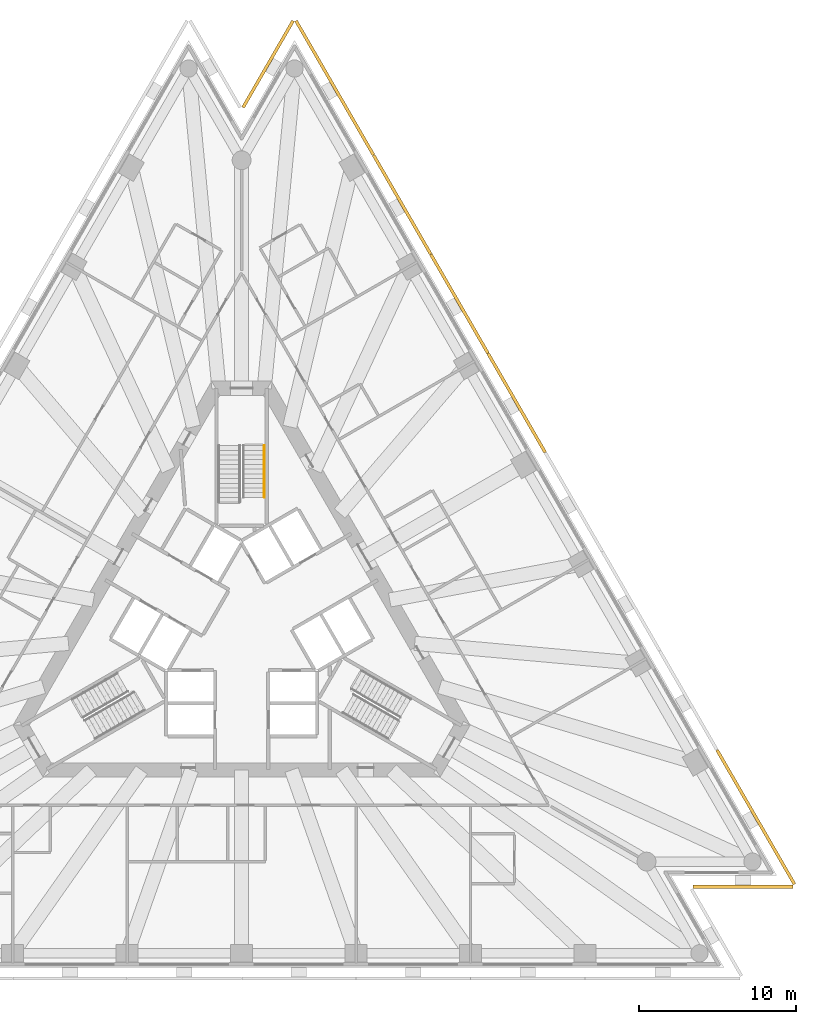
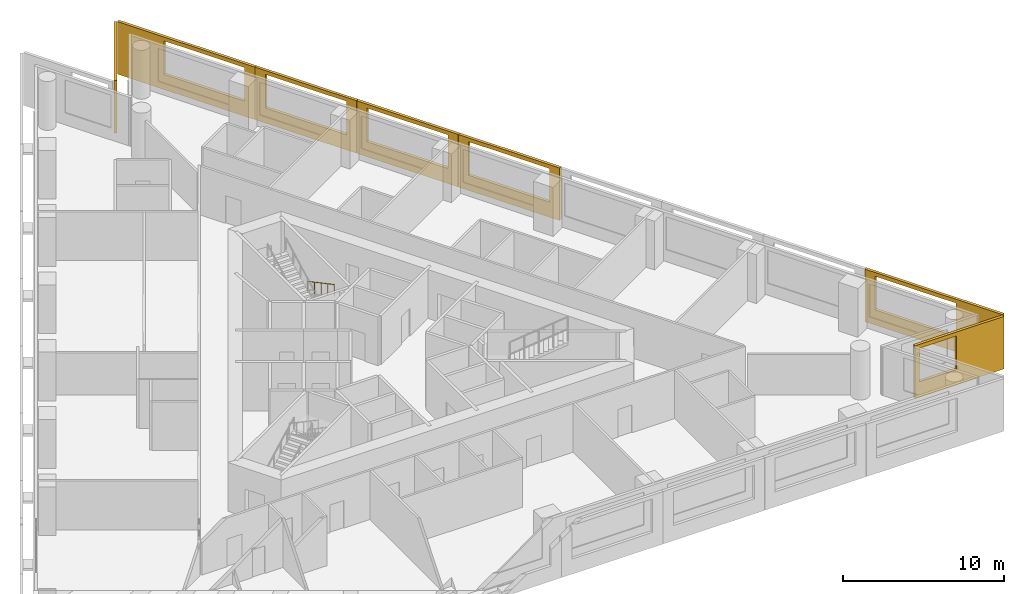
# One storey, part 11 of 11: 7 shading devices, 1 railing, 1 element without a shape of its own.
"""IFC4 building model written with IfcOpenShell, lengths in metres."""

import ifcopenshell
import ifcopenshell.guid

model = None  # the IFC model being written
_history = None  # IfcOwnerHistory: only IFC2X3 demands one
_inside = {}  # id of a spatial element -> (the spatial element, [elements in it])
_under = {}  # id of a project, library or spatial element -> (it, [spatial elements below it])
_declared = {}  # id of a project -> (the project, [libraries it declares])
_typed = {}  # id of a type object -> (the type object, [elements of that type])
_made_of = {}  # id of a material, layer set ... -> (it, [elements and type objects made of it])


def new_model(schema):
    """Start an empty IFC model of exactly this schema.

    Asked for "IFC4X3", IfcOpenShell would pick the latest addendum, in which some entities
    have other attributes; the version numbers below select the first issue.
    IFC2X3 requires an IfcOwnerHistory on every rooted entity: one is made here for all.
    """
    global model, _history
    if schema == "IFC4X3":
        model = ifcopenshell.file(schema_version=(4, 3, 0, 0))
    else:
        model = ifcopenshell.file(schema=schema)
    _inside.clear()
    _under.clear()
    _declared.clear()
    _typed.clear()
    _made_of.clear()
    _history = None
    if model.schema == "IFC2X3":
        org = make("IfcOrganization", Name="unknown")
        user = make(
            "IfcPersonAndOrganization",
            ThePerson=make("IfcPerson", FamilyName="unknown"),
            TheOrganization=org,
        )
        app = make(
            "IfcApplication",
            ApplicationDeveloper=org,
            Version="unknown",
            ApplicationFullName="unknown",
            ApplicationIdentifier="unknown",
        )
        _history = make(
            "IfcOwnerHistory",
            OwningUser=user,
            OwningApplication=app,
            ChangeAction="ADDED",
            CreationDate=0,
        )
    return model


def make(cls, **values):
    """One entity of the class cls with the attributes given. An attribute that is None is left unset."""
    return model.create_entity(
        cls, **{name: value for name, value in values.items() if value is not None}
    )


def rooted(cls, **values):
    """An entity with a GlobalId (a new one), such as an element, a storey or a relation."""
    return make(cls, GlobalId=ifcopenshell.guid.new(), OwnerHistory=_history, **values)


def si_unit(unit_type, name, prefix=None):
    """IfcSIUnit, for example si_unit("LENGTHUNIT", "METRE", prefix="MILLI")."""
    return make("IfcSIUnit", UnitType=unit_type, Prefix=prefix, Name=name)


def assignment(units):
    """IfcUnitAssignment: the units of a project."""
    return None if units is None else make("IfcUnitAssignment", Units=units)


def point(xyz):
    """IfcCartesianPoint."""
    return None if xyz is None else make("IfcCartesianPoint", Coordinates=xyz)


def direction(xyz):
    """IfcDirection."""
    return None if xyz is None else make("IfcDirection", DirectionRatios=xyz)


def frame(location, z_axis=None, x_axis=None):
    """IfcAxis2Placement3D, a coordinate frame: its origin and axes. An axis left out is left unset."""
    return make(
        "IfcAxis2Placement3D",
        Location=point(location),
        Axis=direction(z_axis),
        RefDirection=direction(x_axis),
    )


def frame_2d(location, x_axis=None):
    """IfcAxis2Placement2D, a coordinate frame in the plane: its origin and x axis."""
    return make(
        "IfcAxis2Placement2D", Location=point(location), RefDirection=direction(x_axis)
    )


def origin():
    """The frame at (0, 0, 0) with its axes left unset."""
    return frame((0.0, 0.0, 0.0))


def origin_2d():
    """The frame at (0, 0) in the plane with its x axis left unset."""
    return frame_2d((0.0, 0.0))


def place(relative_to, where):
    """IfcLocalPlacement: puts the frame where relative to a parent placement (None: the world)."""
    return make(
        "IfcLocalPlacement", PlacementRelTo=relative_to, RelativePlacement=where
    )


def context(
    kind, dimensions, precision=None, world=None, true_north=None, identifier=None
):
    """IfcGeometricRepresentationContext, for example the 3D "Model" context."""
    return make(
        "IfcGeometricRepresentationContext",
        ContextIdentifier=identifier,
        ContextType=kind,
        CoordinateSpaceDimension=dimensions,
        Precision=precision,
        WorldCoordinateSystem=world,
        TrueNorth=true_north,
    )


def subcontext(parent, identifier, kind, view, scale=None):
    """IfcGeometricRepresentationSubContext, for example "Body" below "Model"."""
    return make(
        "IfcGeometricRepresentationSubContext",
        ContextIdentifier=identifier,
        ContextType=kind,
        ParentContext=parent,
        TargetScale=scale,
        TargetView=view,
    )


def project(units=None, contexts=None):
    """IfcProject with its units and contexts."""
    return rooted(
        "IfcProject",
        Name="project",
        RepresentationContexts=contexts,
        UnitsInContext=assignment(units),
    )


def spatial(cls, under=None, at=None, **own):
    """A site, building, storey or space (cls), placed at a placement, below another one or the project."""
    s = rooted(cls, ObjectPlacement=at, **own)
    if under is not None:
        _under.setdefault(under.id(), (under, []))[1].append(s)
    return s


def polyline(points):
    """IfcPolyline through the points."""
    return make("IfcPolyline", Points=[point(p) for p in points])


def profile(cls, at=None, kind="AREA", **sizes):
    """A parametric profile (cls). Its sizes go by their IFC names, for example OverallWidth=200.0."""
    return make(cls, ProfileType=kind, Position=at, **sizes)


def circle(**sizes):
    """IfcCircleProfileDef."""
    return profile("IfcCircleProfileDef", **sizes)


def outline(outer, holes=None, kind="AREA"):
    """IfcArbitraryClosedProfileDef: a profile drawn as a closed curve; with holes, ...WithVoids."""
    if holes is None:
        return make("IfcArbitraryClosedProfileDef", ProfileType=kind, OuterCurve=outer)
    return make(
        "IfcArbitraryProfileDefWithVoids",
        ProfileType=kind,
        OuterCurve=outer,
        InnerCurves=holes,
    )


def extrude(swept, where, along, depth):
    """IfcExtrudedAreaSolid: the profile swept, set in the frame where, extruded along a direction by depth."""
    return make(
        "IfcExtrudedAreaSolid",
        SweptArea=swept,
        Position=where,
        ExtrudedDirection=direction(along),
        Depth=depth,
    )


def shape(context_of_items, identifier, shape_type, items):
    """IfcShapeRepresentation: the items that make up one representation, for example the "Body"."""
    return make(
        "IfcShapeRepresentation",
        ContextOfItems=context_of_items,
        RepresentationIdentifier=identifier,
        RepresentationType=shape_type,
        Items=items,
    )


def material(Name=None, Category=None):
    """IfcMaterial."""
    return make("IfcMaterial", Name=Name, Category=Category)


def layer(
    of_material, thickness, ventilated=None, Name=None, Category=None, Priority=None
):
    """IfcMaterialLayer: one layer of a wall or slab, of a material (None: an air gap)."""
    return make(
        "IfcMaterialLayer",
        Material=of_material,
        LayerThickness=thickness,
        IsVentilated=ventilated,
        Name=Name,
        Category=Category,
        Priority=Priority,
    )


def layer_set(layers, Name=None):
    """IfcMaterialLayerSet."""
    return make("IfcMaterialLayerSet", MaterialLayers=layers, LayerSetName=Name)


def made_of(thing, what):
    """Note that an element or type object is made of a material, layer set ...; save() writes the relation."""
    if what is not None:
        _made_of.setdefault(what.id(), (what, []))[1].append(thing)
    return thing


def type_object(cls, material=None, **own):
    """A type object (cls), such as IfcWallType, which elements share."""
    return made_of(rooted(cls, **own), material)


def element(
    cls,
    number,
    at=None,
    inside=None,
    cuts=None,
    type_object=None,
    material=None,
    context=None,
    identifier="Body",
    shape_type=None,
    held_by="IfcProductDefinitionShape",
    body=None,
    shapes=None,
    **own,
):
    """One element of the class cls, such as IfcWall. Its Tag is "e" and its number.

    at: its placement. inside: the storey or other place that contains it. cuts: it is an
    opening in that element (IfcRelVoidsElement). A single representation is given by context,
    identifier, shape_type and body (its items); several are given by shapes. held_by: the class
    of the entity that holds the representations. save() writes the other relations.
    """
    e = rooted(cls, Tag="e%d" % number, ObjectPlacement=at, **own)
    if body is not None:
        shapes = [shape(context, identifier, shape_type, body)]
    if shapes is not None:
        e.Representation = make(held_by, Representations=shapes)
    if inside is not None:
        _inside.setdefault(inside.id(), (inside, []))[1].append(e)
    if cuts is not None:
        rooted(
            "IfcRelVoidsElement", RelatingBuildingElement=cuts, RelatedOpeningElement=e
        )
    if type_object is not None:
        _typed.setdefault(type_object.id(), (type_object, []))[1].append(e)
    return made_of(e, material)


def aggregate(whole, parts):
    """IfcRelAggregates: a whole, such as a stair, and the parts it consists of."""
    return rooted("IfcRelAggregates", RelatingObject=whole, RelatedObjects=parts)


def save(model, path):
    """Write the relations noted so far, then the file.

    IfcRelAggregates (storeys below a building ...), IfcRelContainedInSpatialStructure (elements
    in a storey), IfcRelDefinesByType, IfcRelAssociatesMaterial and IfcRelDeclares: one each for
    every whole, place, type object, material and project.
    """
    for whole, parts in _under.values():
        aggregate(whole, parts)
    for where, things in _inside.values():
        rooted(
            "IfcRelContainedInSpatialStructure",
            RelatedElements=things,
            RelatingStructure=where,
        )
    for kind, things in _typed.values():
        rooted("IfcRelDefinesByType", RelatedObjects=things, RelatingType=kind)
    for what, things in _made_of.values():
        rooted("IfcRelAssociatesMaterial", RelatedObjects=things, RelatingMaterial=what)
    for by, libraries in _declared.values():
        rooted("IfcRelDeclares", RelatingContext=by, RelatedDefinitions=libraries)
    model.write(path)


model = new_model("IFC4")

# Units and contexts
model_context = context("Model", 3, precision=1e-05, world=origin(), true_north=direction((0.0, 1.0)))
body_context = subcontext(model_context, "Body", "Model", "MODEL_VIEW")
ifc_project = project(units=[si_unit("LENGTHUNIT", "METRE"), si_unit("AREAUNIT", "SQUARE_METRE"), si_unit("VOLUMEUNIT", "CUBIC_METRE"), si_unit("PLANEANGLEUNIT", "RADIAN"), si_unit("MASSUNIT", "GRAM", prefix="KILO")], contexts=[model_context])

# Site, building, storey
site_placement = place(None, origin())
site = spatial("IfcSite", under=ifc_project, at=site_placement, CompositionType="ELEMENT")
building_placement = place(site_placement, origin())
building = spatial("IfcBuilding", under=site, at=building_placement, Name="Triada Interchange Tower", CompositionType="ELEMENT")
storey_placement = place(building_placement, frame((0.0, 0.0, 79.300048828125)))
storey = spatial("IfcBuildingStorey", under=building, at=storey_placement, Name="L17", CompositionType="ELEMENT", Elevation=79.300048828125)

# Shading devices
ifc_material_1 = material(Name="Concrete C50/60 precast", Category="concrete")
ifc_layer_1 = layer(ifc_material_1, 0.02001953125, Name="Exposed aggregate face")
ifc_layer_2 = layer(ifc_material_1, 0.179931640625, Name="Precast concrete screen")
ifc_layer_set = layer_set([ifc_layer_1, ifc_layer_2], Name="Outer skin screen panel 3980")
shading_device_type = type_object("IfcShadingDeviceType", Name="Outer skin screen panel 3980", PredefinedType="SHUTTER", material=ifc_layer_set)
shading_device_1_placement = place(storey_placement, frame((28.735107421875, -16.384033203125, -0.2900390625), z_axis=(0.0, 0.0, 1.0), x_axis=(1.0, 0.0, 0.0)))
element("IfcShadingDevice", 1, at=shading_device_1_placement, inside=storey, type_object=shading_device_type, Name="Outer skin screen panel L17 20", PredefinedType="SHUTTER", context=body_context, shape_type="SweptSolid", body=[
    extrude(outline(polyline([(0.0, 0.0), (6.373779296875, 0.0), (6.373779296875, 3.97998046875), (0.0, 3.97998046875), (0.0, 0.0)]), holes=[polyline([(0.300048828125, 1.139892578125), (0.300048828125, 3.68994140625), (2.9580078125, 3.68994140625), (2.9580078125, 1.139892578125), (0.300048828125, 1.139892578125)])]), frame((0.0, 0.0, 0.0), z_axis=(0.0, -1.0, 0.0), x_axis=(1.0, 0.0, 0.0)), (0.0, 0.0, 1.0), 0.199951171875),
])
shading_device_2_placement = place(storey_placement, frame((35.114013671875, -16.375, -0.2900390625), z_axis=(0.0, 0.0, 1.0), x_axis=(-0.500019487037, 0.866014152646, 0.0)))
element("IfcShadingDevice", 2, at=shading_device_2_placement, inside=storey, type_object=shading_device_type, Name="Outer skin screen panel L17 21", PredefinedType="SHUTTER", context=body_context, shape_type="SweptSolid", body=[
    extrude(outline(polyline([(0.0, 0.0), (9.86572265625, 0.0), (9.86572265625, 3.97998046875), (0.0, 3.97998046875), (0.0, 0.0)]), holes=[polyline([(3.332275390625, 1.139892578125), (3.332275390625, 3.68994140625), (9.13232421875, 3.68994140625), (9.13232421875, 1.139892578125), (3.332275390625, 1.139892578125)])]), frame((0.0, 0.0, 0.0), z_axis=(0.0, -1.0, 0.0), x_axis=(1.0, 0.0, 0.0)), (0.0, 0.0, 1.0), 0.199951171875),
])
shading_device_3_placement = place(storey_placement, frame((19.239990234375, 11.1201171875, -0.2900390625), z_axis=(0.0, 0.0, 1.0), x_axis=(-0.500022928159, 0.866012165801, 0.0)))
element("IfcShadingDevice", 3, at=shading_device_3_placement, inside=storey, type_object=shading_device_type, Name="Outer skin screen panel L17 25", PredefinedType="SHUTTER", context=body_context, shape_type="SweptSolid", body=[
    extrude(outline(polyline([(0.0, 0.0), (7.267822265625, 0.0), (7.267822265625, 3.97998046875), (0.0, 3.97998046875), (0.0, 0.0)]), holes=[polyline([(0.73388671875, 1.139892578125), (0.73388671875, 3.68994140625), (6.533935546875, 3.68994140625), (6.533935546875, 1.139892578125), (0.73388671875, 1.139892578125)])]), frame((0.0, 0.0, 0.0), z_axis=(0.0, -1.0, 0.0), x_axis=(1.0, 0.0, 0.0)), (0.0, 0.0, 1.0), 0.199951171875),
])
shading_device_4_placement = place(storey_placement, frame((15.595947265625, 17.430908203125, -0.2900390625), z_axis=(0.0, 0.0, 1.0), x_axis=(-0.499907598821, 0.866078745058, 0.0)))
element("IfcShadingDevice", 4, at=shading_device_4_placement, inside=storey, type_object=shading_device_type, Name="Outer skin screen panel L17 26", PredefinedType="SHUTTER", context=body_context, shape_type="SweptSolid", body=[
    extrude(outline(polyline([(0.0, 0.0), (7.267578125, 0.0), (7.267578125, 3.97998046875), (0.0, 3.97998046875), (0.0, 0.0)]), holes=[polyline([(0.7333984375, 1.139892578125), (0.7333984375, 3.68994140625), (6.533203125, 3.68994140625), (6.533203125, 1.139892578125), (0.7333984375, 1.139892578125)])]), frame((0.0, 0.0, 0.0), z_axis=(0.0, -1.0, 0.0), x_axis=(1.0, 0.0, 0.0)), (0.0, 0.0, 1.0), 0.199951171875),
])
shading_device_5_placement = place(storey_placement, frame((11.952880859375, 23.741943359375, -0.2900390625), z_axis=(0.0, 0.0, 1.0), x_axis=(-0.499997733992, 0.866026712061, 0.0)))
element("IfcShadingDevice", 5, at=shading_device_5_placement, inside=storey, type_object=shading_device_type, Name="Outer skin screen panel L17 27", PredefinedType="SHUTTER", context=body_context, shape_type="SweptSolid", body=[
    extrude(outline(polyline([(0.0, 0.0), (7.267578125, 0.0), (7.267578125, 3.97998046875), (0.0, 3.97998046875), (0.0, 0.0)]), holes=[polyline([(0.73388671875, 1.139892578125), (0.73388671875, 3.68994140625), (6.53369140625, 3.68994140625), (6.53369140625, 1.139892578125), (0.73388671875, 1.139892578125)])]), frame((0.0, 0.0, 0.0), z_axis=(0.0, -1.0, 0.0), x_axis=(1.0, 0.0, 0.0)), (0.0, 0.0, 1.0), 0.199951171875),
])
shading_device_6_placement = place(storey_placement, frame((8.30908203125, 30.052978515625, -0.2900390625), z_axis=(0.0, 0.0, 1.0), x_axis=(-0.500019487037, 0.866014152646, 0.0)))
element("IfcShadingDevice", 6, at=shading_device_6_placement, inside=storey, type_object=shading_device_type, Name="Outer skin screen panel L17 28", PredefinedType="SHUTTER", context=body_context, shape_type="SweptSolid", body=[
    extrude(outline(polyline([(0.0, 0.0), (9.86572265625, 0.0), (9.86572265625, 3.97998046875), (0.0, 3.97998046875), (0.0, 0.0)]), holes=[polyline([(0.734130859375, 1.139892578125), (0.734130859375, 3.68994140625), (6.5341796875, 3.68994140625), (6.5341796875, 1.139892578125), (0.734130859375, 1.139892578125)])]), frame((0.0, 0.0, 0.0), z_axis=(0.0, -1.0, 0.0), x_axis=(1.0, 0.0, 0.0)), (0.0, 0.0, 1.0), 0.199951171875),
])
shading_device_7_placement = place(storey_placement, frame((3.365966796875, 38.596923828125, -0.2900390625), z_axis=(0.0, 0.0, 1.0), x_axis=(-0.500118066197, -0.865957227502, 0.0)))
element("IfcShadingDevice", 7, at=shading_device_7_placement, inside=storey, type_object=shading_device_type, Name="Outer skin screen panel L17 29", PredefinedType="SHUTTER", context=body_context, shape_type="SweptSolid", body=[
    extrude(outline(polyline([(0.0, 0.0), (6.37451171875, 0.0), (6.37451171875, 3.97998046875), (0.0, 3.97998046875), (0.0, 0.0)]), holes=[polyline([(3.175537109375, 1.139892578125), (3.175537109375, 3.68994140625), (6.074951171875, 3.68994140625), (6.074951171875, 1.139892578125), (3.175537109375, 1.139892578125)])]), frame((0.0, 0.0, 0.0), z_axis=(0.0, -1.0, 0.0), x_axis=(1.0, 0.0, 0.0)), (0.0, 0.0, 1.0), 0.199951171875),
])

# Stair, railing
ifc_material_2 = material(Name="Concrete C35/45", Category="concrete")
stair_type = type_object("IfcStairType", Name="HALF TURN STAIR 1400", PredefinedType="HALF_TURN_STAIR", material=ifc_material_2)
stair_placement = place(storey_placement, origin())
stair = element("IfcStair", 8, at=stair_placement, inside=storey, type_object=stair_type, Name="Exit stair S15-1", PredefinedType="HALF_TURN_STAIR")
ifc_material_3 = material(Name="Stainless steel 1.4301", Category="steel")
railing_type = type_object("IfcRailingType", Name="STAIR HANDRAIL 900", PredefinedType="HANDRAIL", material=ifc_material_3)
railing_placement = place(storey_placement, frame((1.449951171875, 11.60009765625, 0.159912109375)))
railing = element("IfcRailing", 9, at=railing_placement, type_object=railing_type, Name="Handrail S15-1 1W", PredefinedType="HANDRAIL", context=body_context, shape_type="SweptSolid", body=[
    extrude(circle(Radius=0.02392578125, at=origin_2d()), frame((0.0, 0.0, 0.8759765625), z_axis=(0.0, -0.882354748157, 0.47058484719), x_axis=(1.0, 0.0, 0.0)), (0.0, 0.0, 1.0), 3.739990234375),
    extrude(circle(Radius=0.02099609375, at=origin_2d()), origin(), (0.0, 0.0, 1.0), 0.851806640625),
    extrude(circle(Radius=0.02099609375, at=origin_2d()), frame((0.0, -0.824951171875, 0.43994140625)), (0.0, 0.0, 1.0), 0.851806640625),
    extrude(circle(Radius=0.02099609375, at=origin_2d()), frame((0.0, -1.64990234375, 0.8798828125)), (0.0, 0.0, 1.0), 0.851806640625),
    extrude(circle(Radius=0.02099609375, at=origin_2d()), frame((0.0, -2.47509765625, 1.320068359375)), (0.0, 0.0, 1.0), 0.851806640625),
    extrude(circle(Radius=0.02099609375, at=origin_2d()), frame((0.0, -3.300048828125, 1.760009765625)), (0.0, 0.0, 1.0), 0.851806640625),
])
aggregate(stair, [railing])

save(model, "model.ifc")
